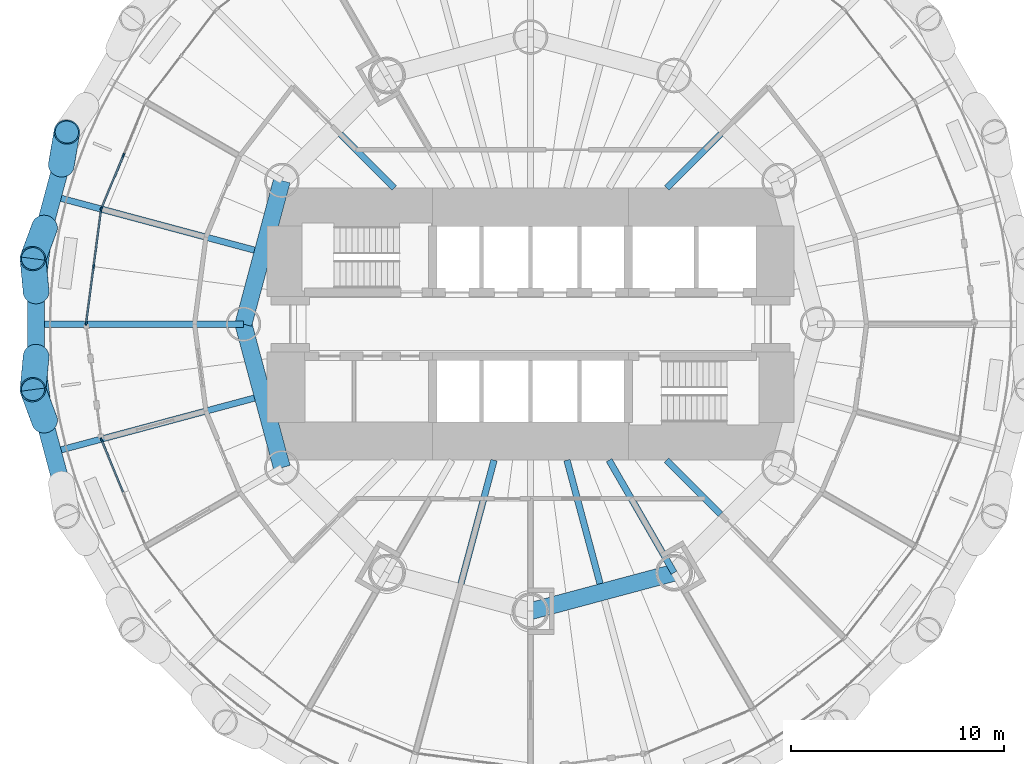
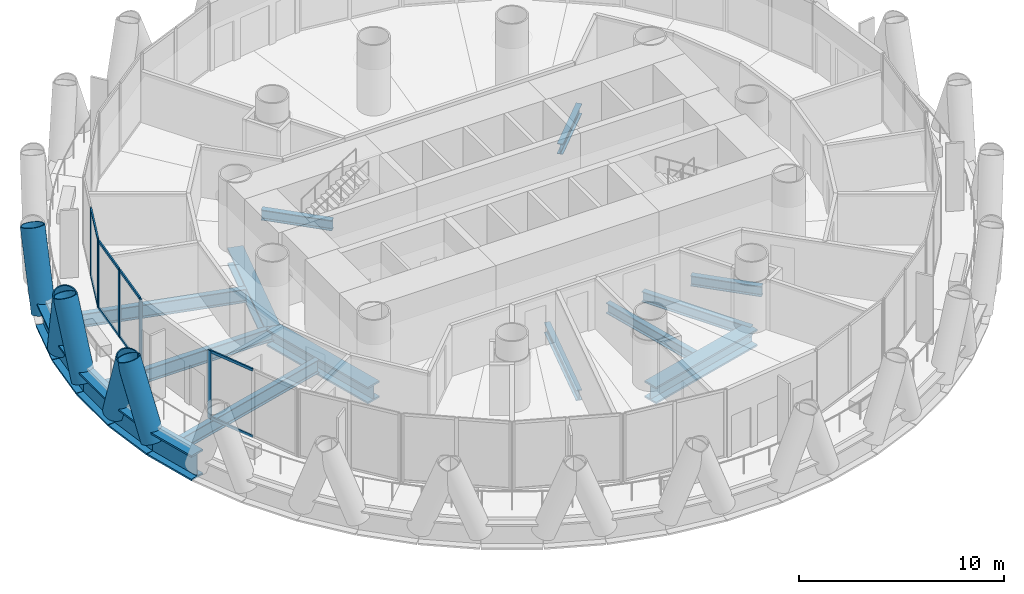
# One storey, part 3 of 15: 19 members, 17 beams, 3 elements without a shape of their own.
"""IFC4 building model written with IfcOpenShell, lengths in metres."""

from ifc_helpers import new_model, si_unit, direction, frame, origin, origin_2d, place, context, subcontext, project, spatial, rectangle, hollow_circle, i_section, extrude, material, material_profile, profile_set, type_object, element, aggregate, save


model = new_model("IFC4")

# Units and contexts
model_context = context("Model", 3, precision=1e-05, world=origin(), true_north=direction((0.0, 1.0)))
body_context = subcontext(model_context, "Body", "Model", "MODEL_VIEW")
ifc_project = project(units=[si_unit("LENGTHUNIT", "METRE"), si_unit("AREAUNIT", "SQUARE_METRE"), si_unit("VOLUMEUNIT", "CUBIC_METRE"), si_unit("PLANEANGLEUNIT", "RADIAN"), si_unit("MASSUNIT", "GRAM", prefix="KILO")], contexts=[model_context])

# Site, building, storey
site_placement = place(None, origin())
site = spatial("IfcSite", under=ifc_project, at=site_placement, CompositionType="ELEMENT")
building_placement = place(site_placement, origin())
building = spatial("IfcBuilding", under=site, at=building_placement, Name="Qaws Media Tower", CompositionType="ELEMENT")
storey_placement = place(building_placement, frame((0.0, 0.0, 30.199951171875)))
storey = spatial("IfcBuildingStorey", under=building, at=storey_placement, Name="L05", CompositionType="ELEMENT", Elevation=30.199951171875)

# Curtain wall, members
ifc_material_1 = material(Name="Aluminium and clear glass", Category="aluminium")
curtain_wall_type = type_object("IfcCurtainWallType", Name="Unitised curtain wall CW-A", PredefinedType="NOTDEFINED", material=ifc_material_1)
curtain_wall_1_placement = place(storey_placement, origin())
curtain_wall_1 = element("IfcCurtainWall", 1, at=curtain_wall_1_placement, inside=storey, type_object=curtain_wall_type, Name="CWA curtain wall L05-11", PredefinedType="NOTDEFINED")
ifc_material_2 = material(Name="Aluminium mullion", Category="aluminium")
ifc_material_profile_1 = material_profile(ifc_material_2, rectangle(XDim=0.080078125, YDim=0.199951171875, at=origin_2d()), Name="80x200")
ifc_profile_set_1 = profile_set([ifc_material_profile_1], Name="Aluminium mullion")
member_type_1 = type_object("IfcMemberType", Name="Curtain wall mullion 80x200", PredefinedType="MULLION", material=ifc_profile_set_1)
member_1_placement = place(storey_placement, frame((40.856201171875, 57.9296875, 0.0), z_axis=(0.0, 0.0, 1.0), x_axis=(0.92387952266, -0.382683456149, 0.0)))
member_1 = element("IfcMember", 2, at=member_1_placement, type_object=member_type_1, Name="CWA mullion 2", PredefinedType="MULLION", context=body_context, shape_type="SweptSolid", body=[
    extrude(rectangle(XDim=0.080078125, YDim=0.199951171875, at=origin_2d()), origin(), (0.0, 0.0, 1.0), 4.0400390625),
])
member_2_placement = place(storey_placement, frame((39.827392578125, 55.4462890625, 0.0), z_axis=(0.0, 0.0, 1.0), x_axis=(0.92387952266, -0.382683456149, 0.0)))
member_2 = element("IfcMember", 3, at=member_2_placement, type_object=member_type_1, Name="CWA mullion 3", PredefinedType="MULLION", context=body_context, shape_type="SweptSolid", body=[
    extrude(rectangle(XDim=0.080078125, YDim=0.199951171875, at=origin_2d()), origin(), (0.0, 0.0, 1.0), 4.0400390625),
])

curtain_wall_2_placement = place(storey_placement, origin())
curtain_wall_2 = element("IfcCurtainWall", 4, at=curtain_wall_2_placement, inside=storey, type_object=curtain_wall_type, Name="CWA curtain wall L05-12", PredefinedType="NOTDEFINED")
member_3_placement = place(storey_placement, frame((39.806884765625, 55.36962890625, 0.0), z_axis=(0.0, 0.0, 1.0), x_axis=(0.991444866709, -0.130526151694, 0.0)))
member_3 = element("IfcMember", 5, at=member_3_placement, type_object=member_type_1, Name="CWA mullion 1", PredefinedType="MULLION", context=body_context, shape_type="SweptSolid", body=[
    extrude(rectangle(XDim=0.080078125, YDim=0.199951171875, at=origin_2d()), origin(), (0.0, 0.0, 1.0), 4.0400390625),
])
member_4_placement = place(storey_placement, frame((39.4560546875, 52.70458984375, 0.0), z_axis=(0.0, 0.0, 1.0), x_axis=(0.991444866709, -0.130526151694, 0.0)))
member_4 = element("IfcMember", 6, at=member_4_placement, type_object=member_type_1, Name="CWA mullion 2", PredefinedType="MULLION", context=body_context, shape_type="SweptSolid", body=[
    extrude(rectangle(XDim=0.080078125, YDim=0.199951171875, at=origin_2d()), origin(), (0.0, 0.0, 1.0), 4.0400390625),
])
member_5_placement = place(storey_placement, frame((39.105224609375, 50.03955078125, 0.0), z_axis=(0.0, 0.0, 1.0), x_axis=(0.991444866709, -0.130526151694, 0.0)))
member_5 = element("IfcMember", 7, at=member_5_placement, type_object=member_type_1, Name="CWA mullion 3", PredefinedType="MULLION", context=body_context, shape_type="SweptSolid", body=[
    extrude(rectangle(XDim=0.080078125, YDim=0.199951171875, at=origin_2d()), origin(), (0.0, 0.0, 1.0), 4.0400390625),
])

# Curtain wall, member
curtain_wall_3_placement = place(storey_placement, origin())
curtain_wall_3 = element("IfcCurtainWall", 8, at=curtain_wall_3_placement, inside=storey, type_object=curtain_wall_type, Name="CWA curtain wall L05-14", PredefinedType="NOTDEFINED")
member_6_placement = place(storey_placement, frame((39.827392578125, 44.5537109375, 0.0), z_axis=(0.0, 0.0, 1.0), x_axis=(0.92387952266, 0.382683456149, 0.0)))
member_6 = element("IfcMember", 9, at=member_6_placement, type_object=member_type_1, Name="CWA mullion 1", PredefinedType="MULLION", context=body_context, shape_type="SweptSolid", body=[
    extrude(rectangle(XDim=0.080078125, YDim=0.199951171875, at=origin_2d()), origin(), (0.0, 0.0, 1.0), 4.0400390625),
])

# Member
ifc_material_3 = material(Name="Aluminium transom", Category="aluminium")
ifc_material_profile_2 = material_profile(ifc_material_3, rectangle(XDim=0.080078125, YDim=0.159912109375, at=origin_2d()), Name="80x160")
ifc_profile_set_2 = profile_set([ifc_material_profile_2], Name="Aluminium transom")
member_type_2 = type_object("IfcMemberType", Name="Curtain wall transom 80x160", PredefinedType="USERDEFINED", material=ifc_profile_set_2)
member_7_placement = place(storey_placement, frame((40.8408203125, 57.892822265625, 0.0400390625), z_axis=(-0.382660432893, -0.923889058869, 0.0), x_axis=(0.923889058869, -0.382660432893, 0.0)))
member_7 = element("IfcMember", 10, at=member_7_placement, type_object=member_type_2, Name="CWA transom 2.1", ObjectType="TRANSOM", PredefinedType="USERDEFINED", context=body_context, shape_type="SweptSolid", body=[
    extrude(rectangle(XDim=0.080078125, YDim=0.159912109375, at=origin_2d()), origin(), (0.0, 0.0, 1.0), 2.608154296875),
])

member_8_placement = place(storey_placement, frame((40.8408203125, 57.892822265625, 4.0), z_axis=(-0.382660432893, -0.923889058869, 0.0), x_axis=(0.923889058869, -0.382660432893, 0.0)))
member_8 = element("IfcMember", 11, at=member_8_placement, type_object=member_type_2, Name="CWA transom 2.2", ObjectType="TRANSOM", PredefinedType="USERDEFINED", context=body_context, shape_type="SweptSolid", body=[
    extrude(rectangle(XDim=0.080078125, YDim=0.159912109375, at=origin_2d()), origin(), (0.0, 0.0, 1.0), 2.608154296875),
])

aggregate(curtain_wall_1, [member_1, member_2, member_7, member_8])

member_9_placement = place(storey_placement, frame((39.8017578125, 55.330078125, 0.0400390625), z_axis=(-0.130587695544, -0.991436762367, 0.0), x_axis=(0.991436762367, -0.130587695544, 0.0)))
member_9 = element("IfcMember", 12, at=member_9_placement, type_object=member_type_2, Name="CWA transom 1.1", ObjectType="TRANSOM", PredefinedType="USERDEFINED", context=body_context, shape_type="SweptSolid", body=[
    extrude(rectangle(XDim=0.080078125, YDim=0.159912109375, at=origin_2d()), origin(), (0.0, 0.0, 1.0), 2.60791015625),
])

member_10_placement = place(storey_placement, frame((39.8017578125, 55.330078125, 4.0), z_axis=(-0.130587695544, -0.991436762367, 0.0), x_axis=(0.991436762367, -0.130587695544, 0.0)))
member_10 = element("IfcMember", 13, at=member_10_placement, type_object=member_type_2, Name="CWA transom 1.2", ObjectType="TRANSOM", PredefinedType="USERDEFINED", context=body_context, shape_type="SweptSolid", body=[
    extrude(rectangle(XDim=0.080078125, YDim=0.159912109375, at=origin_2d()), origin(), (0.0, 0.0, 1.0), 2.60791015625),
])

member_11_placement = place(storey_placement, frame((39.450927734375, 52.6650390625, 0.0400390625), z_axis=(-0.130587695544, -0.991436762367, 0.0), x_axis=(0.991436762367, -0.130587695544, 0.0)))
member_11 = element("IfcMember", 14, at=member_11_placement, type_object=member_type_2, Name="CWA transom 2.1", ObjectType="TRANSOM", PredefinedType="USERDEFINED", context=body_context, shape_type="SweptSolid", body=[
    extrude(rectangle(XDim=0.080078125, YDim=0.159912109375, at=origin_2d()), origin(), (0.0, 0.0, 1.0), 2.60791015625),
])

member_12_placement = place(storey_placement, frame((39.450927734375, 52.6650390625, 4.0), z_axis=(-0.130587695544, -0.991436762367, 0.0), x_axis=(0.991436762367, -0.130587695544, 0.0)))
member_12 = element("IfcMember", 15, at=member_12_placement, type_object=member_type_2, Name="CWA transom 2.2", ObjectType="TRANSOM", PredefinedType="USERDEFINED", context=body_context, shape_type="SweptSolid", body=[
    extrude(rectangle(XDim=0.080078125, YDim=0.159912109375, at=origin_2d()), origin(), (0.0, 0.0, 1.0), 2.60791015625),
])

aggregate(curtain_wall_2, [member_3, member_4, member_5, member_9, member_10, member_11, member_12])

member_13_placement = place(storey_placement, frame((39.8427734375, 44.516845703125, 0.0400390625), z_axis=(0.382660432893, -0.923889058869, 0.0), x_axis=(0.923889058869, 0.382660432893, 0.0)))
member_13 = element("IfcMember", 16, at=member_13_placement, type_object=member_type_2, Name="CWA transom 1.1", ObjectType="TRANSOM", PredefinedType="USERDEFINED", context=body_context, shape_type="SweptSolid", body=[
    extrude(rectangle(XDim=0.080078125, YDim=0.159912109375, at=origin_2d()), origin(), (0.0, 0.0, 1.0), 2.608154296875),
])

member_14_placement = place(storey_placement, frame((39.8427734375, 44.516845703125, 4.0), z_axis=(0.382660432893, -0.923889058869, 0.0), x_axis=(0.923889058869, 0.382660432893, 0.0)))
member_14 = element("IfcMember", 17, at=member_14_placement, type_object=member_type_2, Name="CWA transom 1.2", ObjectType="TRANSOM", PredefinedType="USERDEFINED", context=body_context, shape_type="SweptSolid", body=[
    extrude(rectangle(XDim=0.080078125, YDim=0.159912109375, at=origin_2d()), origin(), (0.0, 0.0, 1.0), 2.608154296875),
])

aggregate(curtain_wall_3, [member_6, member_13, member_14])

# Members
ifc_material_4 = material(Name="Steel S460", Category="steel")
ifc_material_profile_3 = material_profile(ifc_material_4, hollow_circle(Radius=0.609619140625, WallThickness=0.06005859375, at=origin_2d()), Name="CHS 1219x60")
ifc_profile_set_3 = profile_set([ifc_material_profile_3], Name="Steel S460")
member_type_3 = type_object("IfcMemberType", Name="Diagrid member CHS 1219x60", PredefinedType="USERDEFINED", material=ifc_profile_set_3)
member_15_placement = place(storey_placement, frame((37.147705078125, 54.545654296875, -0.909912109375), z_axis=(-0.121808661832, -0.326965826616, 0.937153134834), x_axis=(0.937084117818, -0.349103646691, 0.0)))
element("IfcMember", 18, at=member_15_placement, inside=storey, type_object=member_type_3, Name="DG1 diagrid L05 A12", ObjectType="DIAGRID", PredefinedType="USERDEFINED", context=body_context, shape_type="SweptSolid", body=[
    extrude(hollow_circle(Radius=0.609619140625, WallThickness=0.06005859375, at=origin_2d()), origin(), (0.0, 0.0, 1.0), 4.481689453125),
])
for number, where, z_axis, x_axis, name in (
    (19, (37.9365234375, 57.489501953125, -0.909912109375), (0.058017977607, 0.34402209257, 0.937167388516), (-0.986075579143, 0.166297781756, 0.0), "DG1 diagrid L05 B12"),
    (20, (36.75, 48.47607421875, -0.909912109375), (-0.03306773811, -0.347292966152, 0.937173473994), (0.995497577829, -0.094786985058, 0.0), "DG1 diagrid L05 A13"),
    (21, (36.75, 51.52392578125, -0.909912109375), (-0.03306773811, 0.347292966152, 0.937173473994), (-0.995497577829, -0.094786985058, 0.0), "DG1 diagrid L05 B13"),
):
    element("IfcMember", number, at=place(storey_placement, frame(where, z_axis=z_axis, x_axis=x_axis)), inside=storey, type_object=member_type_3, Name=name, ObjectType="DIAGRID", PredefinedType="USERDEFINED", context=body_context, shape_type="SweptSolid", body=[
        extrude(hollow_circle(Radius=0.609619140625, WallThickness=0.06005859375, at=origin_2d()), origin(), (0.0, 0.0, 1.0), 4.4814453125),
    ])
member_16_placement = place(storey_placement, frame((37.147705078125, 45.454345703125, -0.909912109375), z_axis=(-0.121808661832, 0.326965826616, 0.937153134834), x_axis=(-0.937084117818, -0.349103646691, 0.0)))
element("IfcMember", 22, at=member_16_placement, inside=storey, type_object=member_type_3, Name="DG1 diagrid L05 B14", ObjectType="DIAGRID", PredefinedType="USERDEFINED", context=body_context, shape_type="SweptSolid", body=[
    extrude(hollow_circle(Radius=0.609619140625, WallThickness=0.06005859375, at=origin_2d()), origin(), (0.0, 0.0, 1.0), 4.481689453125),
])

# Beams
ifc_material_5 = material(Name="Steel S460", Category="steel")
ifc_material_profile_4 = material_profile(ifc_material_5, i_section(OverallWidth=0.800048828125, OverallDepth=1.5, WebThickness=0.0400390625, FlangeThickness=0.10009765625, at=origin_2d()), Name="PG 1500x800")
ifc_profile_set_4 = profile_set([ifc_material_profile_4], Name="Steel S460")
beam_type_1 = type_object("IfcBeamType", Name="Edge ring beam PG 1500x800", PredefinedType="BEAM", material=ifc_profile_set_4)
beam_1_placement = place(storey_placement, frame((37.9365234375, 57.489501953125, -0.909912109375), z_axis=(-0.258824175106, -0.965924451694, 0.0), x_axis=(0.965924451694, -0.258824175106, 0.0)))
element("IfcBeam", 23, at=beam_1_placement, inside=storey, type_object=beam_type_1, Name="RB7 edge ring beam L05-22", PredefinedType="BEAM", context=body_context, shape_type="SweptSolid", body=[
    extrude(i_section(OverallWidth=0.800048828125, OverallDepth=1.5, WebThickness=0.0400390625, FlangeThickness=0.10009765625, at=origin_2d()), origin(), (0.0, 0.0, 1.0), 3.047607421875),
])
for number, where, z_axis, x_axis, name in (
    (24, (37.147705078125, 54.545654296875, -0.909912109375), (-0.130489738706, -0.991449659888, 0.0), (0.991449659888, -0.130489738706, 0.0), "RB7 edge ring beam L05-23"),
    (25, (36.75, 51.52392578125, -0.909912109375), (0.0, -1.0, 0.0), (1.0, 0.0, 0.0), "RB7 edge ring beam L05-24"),
    (26, (36.75, 48.47607421875, -0.909912109375), (0.130489738706, -0.991449659888, 0.0), (0.991449659888, 0.130489738706, 0.0), "RB7 edge ring beam L05-25"),
):
    element("IfcBeam", number, at=place(storey_placement, frame(where, z_axis=z_axis, x_axis=x_axis)), inside=storey, type_object=beam_type_1, Name=name, PredefinedType="BEAM", context=body_context, shape_type="SweptSolid", body=[
        extrude(i_section(OverallWidth=0.800048828125, OverallDepth=1.5, WebThickness=0.0400390625, FlangeThickness=0.10009765625, at=origin_2d()), origin(), (0.0, 0.0, 1.0), 3.0478515625),
    ])
beam_2_placement = place(storey_placement, frame((37.147705078125, 45.454345703125, -0.909912109375), z_axis=(0.258824175106, -0.965924451694, 0.0), x_axis=(0.965924451694, 0.258824175106, 0.0)))
element("IfcBeam", 27, at=beam_2_placement, inside=storey, type_object=beam_type_1, Name="RB7 edge ring beam L05-26", PredefinedType="BEAM", context=body_context, shape_type="SweptSolid", body=[
    extrude(i_section(OverallWidth=0.800048828125, OverallDepth=1.5, WebThickness=0.0400390625, FlangeThickness=0.10009765625, at=origin_2d()), origin(), (0.0, 0.0, 1.0), 3.047607421875),
])
ifc_material_6 = material(Name="Steel S460", Category="steel")
ifc_material_profile_5 = material_profile(ifc_material_6, i_section(OverallWidth=0.800048828125, OverallDepth=1.0, WebThickness=0.0400390625, FlangeThickness=0.10009765625, at=origin_2d()), Name="PG 1000x800")
ifc_profile_set_5 = profile_set([ifc_material_profile_5], Name="Steel S460")
beam_type_2 = type_object("IfcBeamType", Name="Inner ring girder PG 1000x800", PredefinedType="BEAM", material=ifc_profile_set_5)
for number, where, z_axis, x_axis, name in (
    (28, (48.30859375, 56.75, -0.659912109375), (-0.258810593767, -0.965928090778, 0.0), (0.965928090778, -0.258810593767, 0.0), "B3 inner ring beam L05 I06-I07"),
    (29, (46.5, 50.0, -0.659912109375), (0.258810593767, -0.965928090778, 0.0), (0.965928090778, 0.258810593767, 0.0), "B3 inner ring beam L05 I07-I08"),
    (30, (60.0, 36.5, -0.659912109375), (0.965928090778, 0.258810593767, 0.0), (-0.258810593767, 0.965928090778, 0.0), "B3 inner ring beam L05 I10-I11"),
):
    element("IfcBeam", number, at=place(storey_placement, frame(where, z_axis=z_axis, x_axis=x_axis)), inside=storey, type_object=beam_type_2, Name=name, PredefinedType="BEAM", context=body_context, shape_type="SweptSolid", body=[
        extrude(i_section(OverallWidth=0.800048828125, OverallDepth=1.0, WebThickness=0.0400390625, FlangeThickness=0.10009765625, at=origin_2d()), origin(), (0.0, 0.0, 1.0), 6.988037109375),
    ])
ifc_material_7 = material(Name="Steel S355", Category="steel")
ifc_material_profile_6 = material_profile(ifc_material_7, i_section(OverallWidth=0.304931640625, OverallDepth=0.6201171875, WebThickness=0.02099609375, FlangeThickness=0.0400390625, FilletRadius=0.027099609375, at=origin_2d()), Name="HE 600 M")
ifc_profile_set_6 = profile_set([ifc_material_profile_6], Name="Steel S355")
beam_type_3 = type_object("IfcBeamType", Name="Radial beam HE 600 M, core side", PredefinedType="BEAM", material=ifc_profile_set_6)
for number, where, z_axis, x_axis, name in (
    (31, (66.39990234375, 56.39990234375, -0.469970703125), (0.707106781187, 0.707106781187, 0.0), (-0.707106781187, 0.707106781187, 0.0), "B2 radial beam L05 04"),
    (32, (53.60009765625, 56.39990234375, -0.469970703125), (-0.707106781187, 0.707106781187, 0.0), (-0.707106781187, -0.707106781187, 0.0), "B2 radial beam L05 10"),
):
    element("IfcBeam", number, at=place(storey_placement, frame(where, z_axis=z_axis, x_axis=x_axis)), inside=storey, type_object=beam_type_3, Name=name, PredefinedType="BEAM", context=body_context, shape_type="SweptSolid", body=[
        extrude(i_section(OverallWidth=0.304931640625, OverallDepth=0.6201171875, WebThickness=0.02099609375, FlangeThickness=0.0400390625, FilletRadius=0.027099609375, at=origin_2d()), origin(), (0.0, 0.0, 1.0), 3.589111328125),
    ])
for number, where, z_axis, x_axis, name in (
    (33, (58.28515625, 43.60009765625, -0.469970703125), (-0.258824687089, -0.965924314506, 0.0), (0.965924314506, -0.258824687089, 0.0), "B2 radial beam L05 18"),
    (34, (61.71484375, 43.60009765625, -0.469970703125), (0.258824687089, -0.965924314506, 0.0), (0.965924314506, 0.258824687089, 0.0), "B2 radial beam L05 20"),
):
    element("IfcBeam", number, at=place(storey_placement, frame(where, z_axis=z_axis, x_axis=x_axis)), inside=storey, type_object=beam_type_3, Name=name, PredefinedType="BEAM", context=body_context, shape_type="SweptSolid", body=[
        extrude(i_section(OverallWidth=0.304931640625, OverallDepth=0.6201171875, WebThickness=0.02099609375, FlangeThickness=0.0400390625, FilletRadius=0.027099609375, at=origin_2d()), origin(), (0.0, 0.0, 1.0), 6.01416015625),
    ])
beam_3_placement = place(storey_placement, frame((63.695068359375, 43.60009765625, -0.469970703125), z_axis=(0.49998532359, -0.866033877048, 0.0), x_axis=(0.866033877048, 0.49998532359, 0.0)))
element("IfcBeam", 35, at=beam_3_placement, inside=storey, type_object=beam_type_3, Name="B2 radial beam L05 21", PredefinedType="BEAM", context=body_context, shape_type="SweptSolid", body=[
    extrude(i_section(OverallWidth=0.304931640625, OverallDepth=0.6201171875, WebThickness=0.02099609375, FlangeThickness=0.0400390625, FilletRadius=0.027099609375, at=origin_2d()), origin(), (0.0, 0.0, 1.0), 6.110107421875),
])
beam_4_placement = place(storey_placement, frame((66.39990234375, 43.60009765625, -0.469970703125), z_axis=(0.707106781187, -0.707106781187, 0.0), x_axis=(0.707106781187, 0.707106781187, 0.0)))
element("IfcBeam", 36, at=beam_4_placement, inside=storey, type_object=beam_type_3, Name="B2 radial beam L05 22", PredefinedType="BEAM", context=body_context, shape_type="SweptSolid", body=[
    extrude(i_section(OverallWidth=0.304931640625, OverallDepth=0.6201171875, WebThickness=0.02099609375, FlangeThickness=0.0400390625, FilletRadius=0.027099609375, at=origin_2d()), origin(), (0.0, 0.0, 1.0), 3.589111328125),
])
ifc_material_8 = material(Name="Steel S355", Category="steel")
ifc_material_profile_7 = material_profile(ifc_material_8, i_section(OverallWidth=0.300048828125, OverallDepth=0.800048828125, WebThickness=0.017578125, FlangeThickness=0.032958984375, FilletRadius=0.030029296875, at=origin_2d()), Name="HE 800 B")
ifc_profile_set_7 = profile_set([ifc_material_profile_7], Name="Steel S355")
beam_type_4 = type_object("IfcBeamType", Name="Radial beam HE 800 B", PredefinedType="BEAM", material=ifc_profile_set_7)
beam_5_placement = place(storey_placement, frame((47.01806640625, 53.478515625, -0.56005859375), z_axis=(-0.965925278817, 0.258821088287, 0.0), x_axis=(-0.258821088287, -0.965925278817, 0.0)))
element("IfcBeam", 37, at=beam_5_placement, inside=storey, type_object=beam_type_4, Name="B1 radial beam L05 12", PredefinedType="BEAM", context=body_context, shape_type="SweptSolid", body=[
    extrude(i_section(OverallWidth=0.300048828125, OverallDepth=0.800048828125, WebThickness=0.017578125, FlangeThickness=0.032958984375, FilletRadius=0.030029296875, at=origin_2d()), origin(), (0.0, 0.0, 1.0), 9.81005859375),
])
beam_6_placement = place(storey_placement, frame((46.5, 50.0, -0.56005859375), z_axis=(-1.0, 0.0, 0.0), x_axis=(0.0, -1.0, 0.0)))
element("IfcBeam", 38, at=beam_6_placement, inside=storey, type_object=beam_type_4, Name="B1 radial beam L05 13", PredefinedType="BEAM", context=body_context, shape_type="SweptSolid", body=[
    extrude(i_section(OverallWidth=0.300048828125, OverallDepth=0.800048828125, WebThickness=0.017578125, FlangeThickness=0.032958984375, FilletRadius=0.030029296875, at=origin_2d()), origin(), (0.0, 0.0, 1.0), 9.75),
])
beam_7_placement = place(storey_placement, frame((47.01806640625, 46.521484375, -0.56005859375), z_axis=(-0.965925278817, -0.258821088287, 0.0), x_axis=(0.258821088287, -0.965925278817, 0.0)))
element("IfcBeam", 39, at=beam_7_placement, inside=storey, type_object=beam_type_4, Name="B1 radial beam L05 14", PredefinedType="BEAM", context=body_context, shape_type="SweptSolid", body=[
    extrude(i_section(OverallWidth=0.300048828125, OverallDepth=0.800048828125, WebThickness=0.017578125, FlangeThickness=0.032958984375, FilletRadius=0.030029296875, at=origin_2d()), origin(), (0.0, 0.0, 1.0), 9.81005859375),
])

save(model, "model.ifc")
